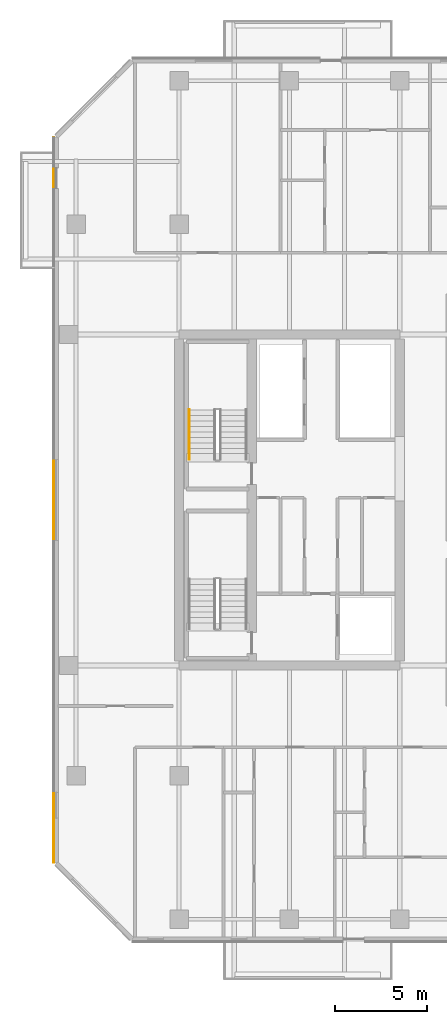
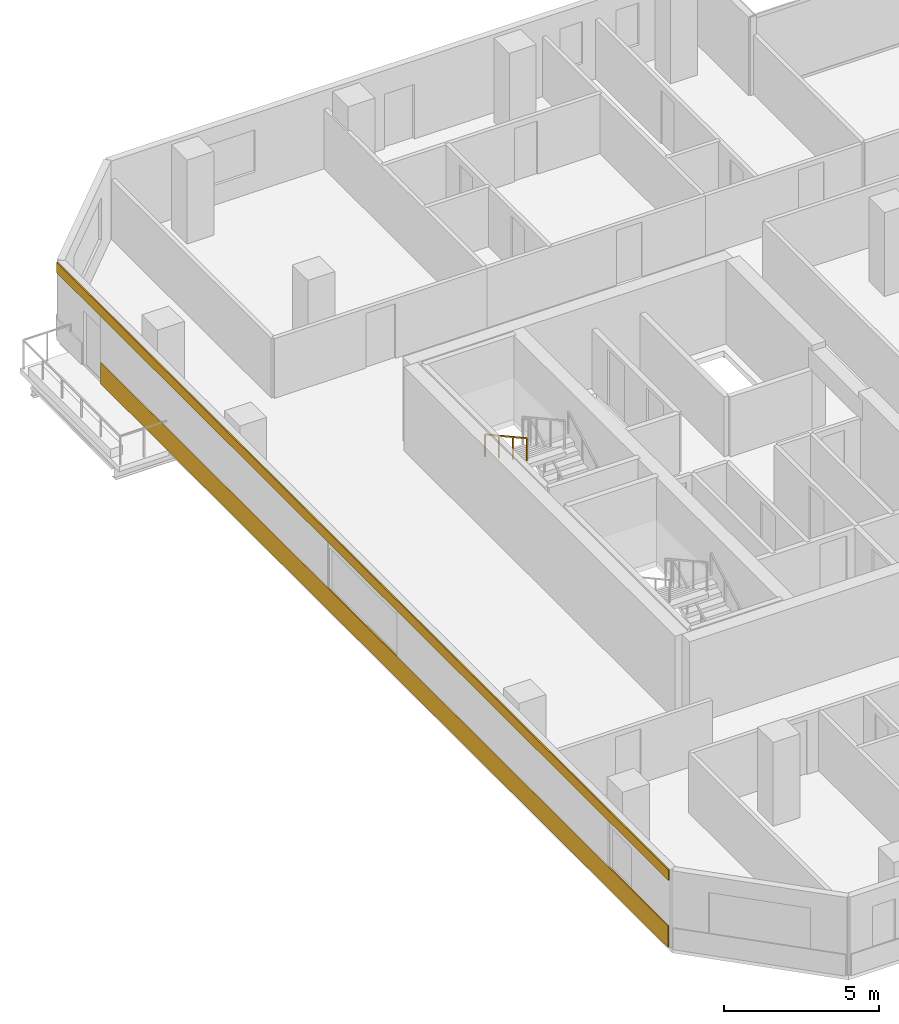
# One storey, part 19 of 23: 2 coverings, 1 railing.
"""IFC4 building model written with IfcOpenShell, lengths in metres."""

from ifc_helpers import new_model, si_unit, direction, frame, origin, origin_2d, place, context, subcontext, project, spatial, rectangle, extrude, material, layer, layer_set, type_object, element, save


model = new_model("IFC4")

# Units and contexts
model_context = context("Model", 3, precision=1e-05, world=origin(), true_north=direction((0.0, 1.0)))
body_context = subcontext(model_context, "Body", "Model", "MODEL_VIEW")
ifc_project = project(units=[si_unit("LENGTHUNIT", "METRE"), si_unit("AREAUNIT", "SQUARE_METRE"), si_unit("VOLUMEUNIT", "CUBIC_METRE"), si_unit("PLANEANGLEUNIT", "RADIAN"), si_unit("MASSUNIT", "GRAM", prefix="KILO")], contexts=[model_context])

# Site, building, storey
site_placement = place(None, origin())
site = spatial("IfcSite", under=ifc_project, at=site_placement, CompositionType="ELEMENT")
building_placement = place(site_placement, origin())
building = spatial("IfcBuilding", under=site, at=building_placement, Name="Tanjung Sevakor Pilgrim Tower", CompositionType="ELEMENT")
storey_placement = place(building_placement, frame((0.0, 0.0, 88.77001953125)))
storey = spatial("IfcBuildingStorey", under=building, at=storey_placement, Name="L24", CompositionType="ELEMENT", Elevation=88.77001953125)

# Coverings
ifc_material_1 = material(Name="Reconstructed Limestone Cladding", Category="masonry")
ifc_layer = layer(ifc_material_1, 0.044921875)
ifc_layer_set = layer_set([ifc_layer], Name="COV-CLAD-LIMESTONE")
covering_type = type_object("IfcCoveringType", Name="COV-CLAD-LIMESTONE", PredefinedType="CLADDING", material=ifc_layer_set)
covering_1_placement = place(storey_placement, frame((17.177490234375, 32.19091796875, 0.009765625), z_axis=(0.0, 0.0, 1.0), x_axis=(0.0, -1.0, 0.0)))
element("IfcCovering", 1, at=covering_1_placement, inside=storey, type_object=covering_type, Name="L24 Warm Limestone Sill Spandrel EW-L24-MAIN-15-2", PredefinedType="CLADDING", context=body_context, shape_type="SweptSolid", body=[
    extrude(rectangle(XDim=36.59814453125, YDim=0.044921875, at=origin_2d()), origin(), (0.0, 0.0, 1.0), 0.840087890625),
])
covering_2_placement = place(storey_placement, frame((17.177490234375, 33.60009765625, 2.66015625), z_axis=(0.0, 0.0, 1.0), x_axis=(0.0, -1.0, 0.0)))
element("IfcCovering", 2, at=covering_2_placement, inside=storey, type_object=covering_type, Name="L24 Warm Limestone Cornice Spandrel EW-L24-MAIN-15", PredefinedType="CLADDING", context=body_context, shape_type="SweptSolid", body=[
    extrude(rectangle(XDim=39.456298828125, YDim=0.044921875, at=origin_2d()), origin(), (0.0, 0.0, 1.0), 0.409912109375),
])

# Railing
ifc_material_2 = material(Name="Steel S355J2", Category="steel")
railing_type = type_object("IfcRailingType", Name="RL-STAIR-HAND", PredefinedType="HANDRAIL", material=ifc_material_2)
railing_placement = place(storey_placement, frame((24.550048828125, 38.5, 1.81494140625)))
element("IfcRailing", 3, at=railing_placement, inside=storey, type_object=railing_type, Name="L24 TS-W2 stair handrail 2", PredefinedType="HANDRAIL", context=body_context, shape_type="SweptSolid", body=[
    extrude(rectangle(XDim=0.0479, YDim=0.0479), frame((0.0, 0.0, 0.8759765625), z_axis=(0.0, -0.876197507361, 0.481952205197), x_axis=(1.0, 0.0, 0.0)), (0.0, 0.0, 1.0), 3.08154296875),
    extrude(rectangle(XDim=0.042, YDim=0.042), origin(), (0.0, 0.0, 1.0), 0.851806640625),
    extrude(rectangle(XDim=0.042, YDim=0.042), frame((0.0, -0.89990234375, 0.4951171875)), (0.0, 0.0, 1.0), 0.851806640625),
    extrude(rectangle(XDim=0.042, YDim=0.042), frame((0.0, -1.800048828125, 0.989990234375)), (0.0, 0.0, 1.0), 0.851806640625),
    extrude(rectangle(XDim=0.042, YDim=0.042), frame((0.0, -2.699951171875, 1.485107421875)), (0.0, 0.0, 1.0), 0.851806640625),
])

save(model, "model.ifc")
